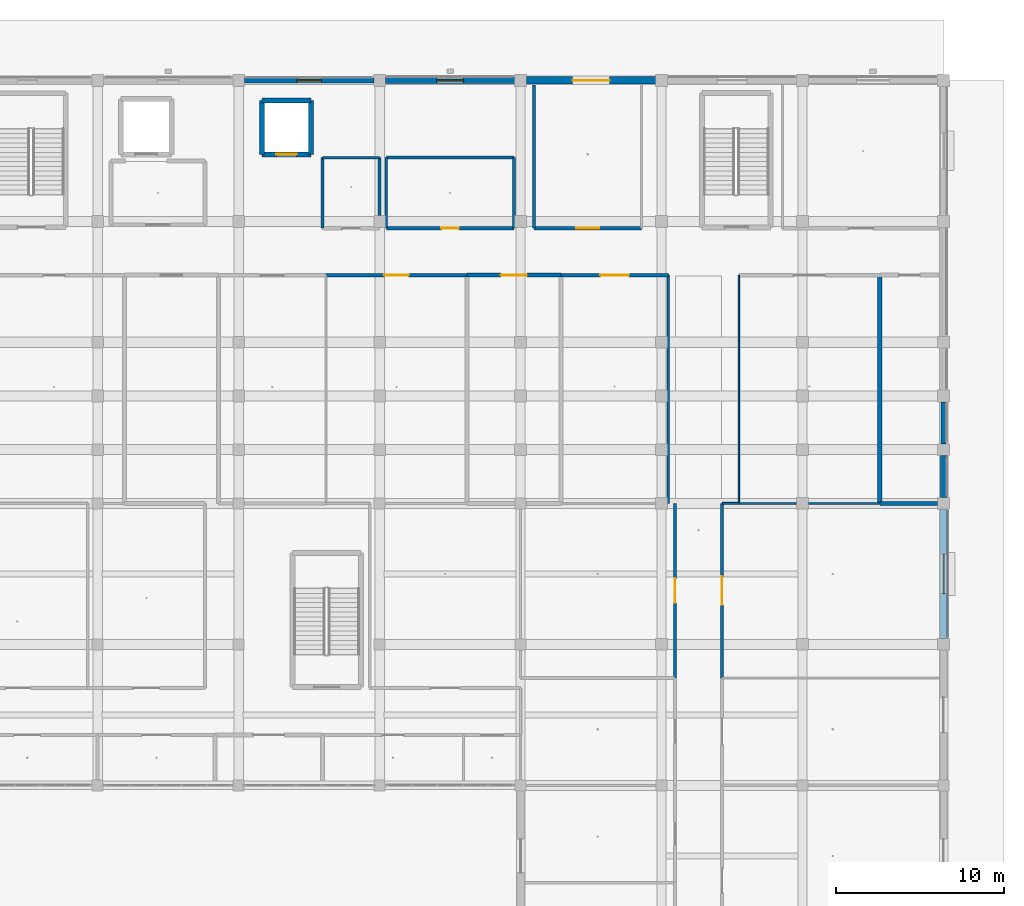
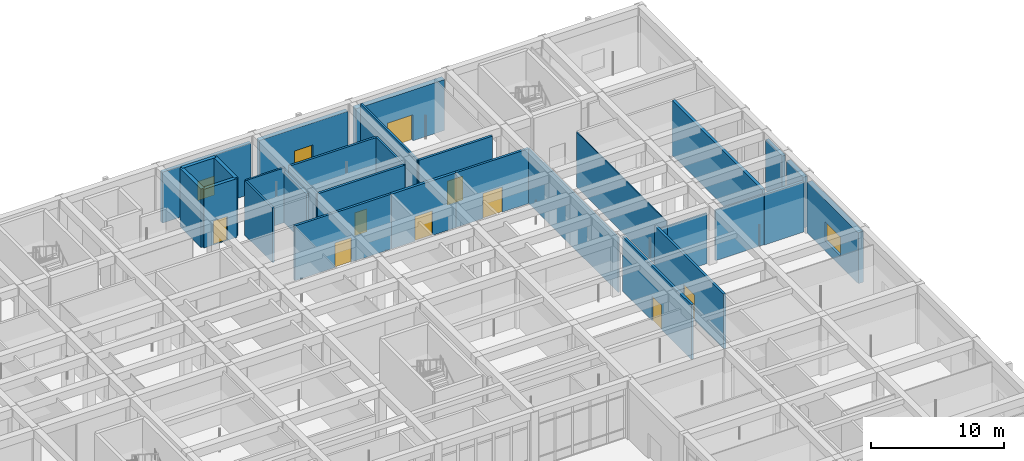
# One storey, part 78 of 167: 31 walls, 9 doors, 3 windows, 12 openings.
"""IFC4 building model written with IfcOpenShell, lengths in metres."""

from ifc_helpers import new_model, si_unit, direction, frame, frame_2d, origin, place, context, subcontext, project, spatial, rectangle, extrude, material, layer, layer_set, type_object, element, fill, save


model = new_model("IFC4")

# Units and contexts
model_context = context("Model", 3, precision=1e-05, world=origin(), true_north=direction((0.0, 1.0)))
body_context = subcontext(model_context, "Body", "Model", "MODEL_VIEW")
ifc_project = project(units=[si_unit("LENGTHUNIT", "METRE"), si_unit("AREAUNIT", "SQUARE_METRE"), si_unit("VOLUMEUNIT", "CUBIC_METRE"), si_unit("PLANEANGLEUNIT", "RADIAN"), si_unit("MASSUNIT", "GRAM", prefix="KILO")], contexts=[model_context])

# Site, building, storey
site_placement = place(None, origin())
site = spatial("IfcSite", under=ifc_project, at=site_placement, CompositionType="ELEMENT")
building_placement = place(site_placement, origin())
building = spatial("IfcBuilding", under=site, at=building_placement, Name="Varncliffe General Hospital", CompositionType="ELEMENT")
storey_placement = place(building_placement, origin())
storey = spatial("IfcBuildingStorey", under=building, at=storey_placement, Name="L00", CompositionType="ELEMENT", Elevation=0.0)

# Wall, opening, window
ifc_material_1 = material(Name="Precast concrete C40/50 with insulated cream lime-cement stucco", Category="concrete")
ifc_layer_1 = layer(ifc_material_1, 0.3798828125)
ifc_layer_set_1 = layer_set([ifc_layer_1], Name="Precast concrete C40/50 with insulated cream lime-cement stucco")
wall_type_1 = type_object("IfcWallType", Name="Exterior Insulated Stucco Wall EW26 (380mm)", PredefinedType="SOLIDWALL", material=ifc_layer_set_1)
wall_1_placement = place(storey_placement, frame((143.14794921875, 124.800048828125, 0.0), z_axis=(0.0, 0.0, 1.0), x_axis=(1.0, 0.0, 0.0)))
wall_1 = element("IfcWall", 1, at=wall_1_placement, inside=storey, type_object=wall_type_1, Name="L00 Exterior Stucco Wall EW26-31", PredefinedType="SOLIDWALL", context=body_context, shape_type="SweptSolid", body=[
    extrude(rectangle(XDim=7.7041015625, YDim=0.3798828125, at=frame_2d((3.85205078125, 0.0))), origin(), (0.0, 0.0, 1.0), 4.679931640625),
])
opening_1_placement = place(wall_1_placement, frame((3.052001953125, 0.0, 0.89990234375)))
opening_1 = element("IfcOpeningElement", 2, at=opening_1_placement, cuts=wall_1, Name="Opening WN87", PredefinedType="OPENING", context=body_context, shape_type="SweptSolid", body=[
    extrude(rectangle(XDim=1.60009765625, YDim=1.75, at=frame_2d((0.800048828125, 0.875))), frame((0.0, 0.199951171875, 0.0), z_axis=(0.0, -1.0, 0.0), x_axis=(1.0, 0.0, 0.0)), (0.0, 0.0, 1.0), 0.39990234375),
])
ifc_material_2 = material(Name="Triple low-E argon insulated vision glazing", Category="glass")
window_type_1 = type_object("IfcWindowType", Name="Triple-Glazed Hospital Window WN87 (1600x1750)", PartitioningType="DOUBLE_PANEL_VERTICAL", PredefinedType="WINDOW", material=ifc_material_2)
window_1_placement = place(opening_1_placement, origin())
window_1 = element("IfcWindow", 3, at=window_1_placement, inside=storey, type_object=window_type_1, Name="L00 Hospital Window WN87-19", OverallHeight=1.75, OverallWidth=1.60009765625, PartitioningType="DOUBLE_PANEL_VERTICAL", PredefinedType="WINDOW", context=body_context, shape_type="SweptSolid", body=[
    extrude(rectangle(XDim=1.60009765625, YDim=1.75, at=frame_2d((0.800048828125, 0.875))), frame((0.0, 0.030029296875, 0.0), z_axis=(0.0, -1.0, 0.0), x_axis=(1.0, 0.0, 0.0)), (0.0, 0.0, 1.0), 0.06005859375),
])
fill(opening_1, window_1)

# Wall
wall_2_placement = place(storey_placement, frame((176.39990234375, 102.451904296875, 0.0), z_axis=(0.0, 0.0, 1.0), x_axis=(0.0, -1.0, 0.0)))
element("IfcWall", 4, at=wall_2_placement, inside=storey, type_object=wall_type_1, Name="L00 Exterior Stucco Wall EW26-39", PredefinedType="SOLIDWALL", context=body_context, shape_type="SweptSolid", body=[
    extrude(rectangle(XDim=2.50390625, YDim=0.3798828125, at=frame_2d((1.251953125, 0.0))), origin(), (0.0, 0.0, 1.0), 4.679931640625),
])

# Wall, opening, window
ifc_layer_2 = layer(ifc_material_1, 0.2900390625)
ifc_layer_set_2 = layer_set([ifc_layer_2], Name="Precast concrete C40/50 with insulated cream lime-cement stucco")
wall_type_2 = type_object("IfcWallType", Name="Exterior Insulated Stucco Wall EW31 (290mm)", PredefinedType="SOLIDWALL", material=ifc_layer_set_2)
wall_3_placement = place(storey_placement, frame((134.748046875, 124.800048828125, 0.0), z_axis=(0.0, 0.0, 1.0), x_axis=(1.0, 0.0, 0.0)))
wall_3 = element("IfcWall", 5, at=wall_3_placement, inside=storey, type_object=wall_type_2, Name="L00 Exterior Stucco Wall EW31-30", PredefinedType="SOLIDWALL", context=body_context, shape_type="SweptSolid", body=[
    extrude(rectangle(XDim=7.703857421875, YDim=0.2900390625, at=frame_2d((3.85205078125, 0.0))), origin(), (0.0, 0.0, 1.0), 4.679931640625),
])
opening_2_placement = place(wall_3_placement, frame((3.126953125, 0.0, 0.89990234375)))
opening_2 = element("IfcOpeningElement", 6, at=opening_2_placement, cuts=wall_3, Name="Opening WN88", PredefinedType="OPENING", context=body_context, shape_type="SweptSolid", body=[
    extrude(rectangle(XDim=1.449951171875, YDim=1.75, at=frame_2d((0.72509765625, 0.875))), frame((0.0, 0.155029296875, 0.0), z_axis=(0.0, -1.0, 0.0), x_axis=(1.0, 0.0, 0.0)), (0.0, 0.0, 1.0), 0.31005859375),
])
window_type_2 = type_object("IfcWindowType", Name="Triple-Glazed Hospital Window WN88 (1450x1750)", PartitioningType="SINGLE_PANEL", PredefinedType="WINDOW", material=ifc_material_2)
window_2_placement = place(opening_2_placement, origin())
window_2 = element("IfcWindow", 7, at=window_2_placement, inside=storey, type_object=window_type_2, Name="L00 Hospital Window WN88-18", OverallHeight=1.75, OverallWidth=1.449951171875, PartitioningType="SINGLE_PANEL", PredefinedType="WINDOW", context=body_context, shape_type="SweptSolid", body=[
    extrude(rectangle(XDim=1.449951171875, YDim=1.75, at=frame_2d((0.72509765625, 0.875))), frame((0.0, 0.030029296875, 0.0), z_axis=(0.0, -1.0, 0.0), x_axis=(1.0, 0.0, 0.0)), (0.0, 0.0, 1.0), 0.06005859375),
])
fill(opening_2, window_2)

# Wall
wall_4_placement = place(storey_placement, frame((176.39990234375, 105.652099609375, 0.0), z_axis=(0.0, 0.0, 1.0), x_axis=(0.0, -1.0, 0.0)))
element("IfcWall", 8, at=wall_4_placement, inside=storey, type_object=wall_type_2, Name="L00 Exterior Stucco Wall EW31-38", PredefinedType="SOLIDWALL", context=body_context, shape_type="SweptSolid", body=[
    extrude(rectangle(XDim=2.504150390625, YDim=0.2900390625, at=frame_2d((1.251953125, 0.0))), origin(), (0.0, 0.0, 1.0), 4.679931640625),
])

# Wall, opening, door
ifc_material_3 = material(Name="Concrete C40/50 (CSA A23.1 40 MPa)", Category="concrete")
ifc_layer_3 = layer(ifc_material_3, 0.449951171875)
ifc_layer_set_3 = layer_set([ifc_layer_3], Name="Concrete C40/50 (CSA A23.1 40 MPa)")
wall_type_3 = type_object("IfcWallType", Name="Exterior Insulated Stucco Wall EW36 (450mm)", PredefinedType="SOLIDWALL", material=ifc_layer_set_3)
wall_5_placement = place(storey_placement, frame((151.548095703125, 124.800048828125, 0.0), z_axis=(0.0, 0.0, 1.0), x_axis=(1.0, 0.0, 0.0)))
wall_5 = element("IfcWall", 9, at=wall_5_placement, inside=storey, type_object=wall_type_3, Name="L00 Exterior Stucco Wall EW36-32", PredefinedType="SOLIDWALL", context=body_context, shape_type="SweptSolid", body=[
    extrude(rectangle(XDim=7.703857421875, YDim=0.449951171875, at=frame_2d((3.85205078125, 0.0))), origin(), (0.0, 0.0, 1.0), 4.679931640625),
])
opening_3_placement = place(wall_5_placement, frame((2.751953125, 0.0, 0.0)))
opening_3 = element("IfcOpeningElement", 10, at=opening_3_placement, cuts=wall_5, Name="Opening DE27", PredefinedType="OPENING", context=body_context, shape_type="SweptSolid", body=[
    extrude(rectangle(XDim=2.199951171875, YDim=2.39990234375, at=frame_2d((1.10009765625, 1.199951171875))), frame((0.0, 0.23486328125, 0.0), z_axis=(0.0, -1.0, 0.0), x_axis=(1.0, 0.0, 0.0)), (0.0, 0.0, 1.0), 0.469970703125),
])
ifc_material_4 = material(Name="Thermally broken bronze-anodized aluminium and safety glass door", Category="aluminium")
door_type_1 = type_object("IfcDoorType", Name="Exterior Pedestrian Door DE27 (2200x2400)", OperationType="NOTDEFINED", PredefinedType="DOOR", material=ifc_material_4)
door_1_placement = place(opening_3_placement, origin())
door_1 = element("IfcDoor", 11, at=door_1_placement, inside=storey, type_object=door_type_1, Name="Main Pedestrian Entrance and Final Exit Door FE-08", OperationType="DOUBLE_DOOR_SINGLE_SWING", OverallHeight=2.39990234375, OverallWidth=2.199951171875, PredefinedType="DOOR", context=body_context, shape_type="SweptSolid", body=[
    extrude(rectangle(XDim=2.199951171875, YDim=2.39990234375, at=frame_2d((1.10009765625, 1.199951171875))), frame((0.0, 0.02490234375, 0.0), z_axis=(0.0, -1.0, 0.0), x_axis=(1.0, 0.0, 0.0)), (0.0, 0.0, 1.0), 0.050048828125),
])
fill(opening_3, door_1)

# Wall, opening, window
wall_6_placement = place(storey_placement, frame((176.39990234375, 99.251953125, 0.0), z_axis=(0.0, 0.0, 1.0), x_axis=(0.0, -1.0, 0.0)))
wall_6 = element("IfcWall", 12, at=wall_6_placement, inside=storey, type_object=wall_type_3, Name="L00 Exterior Stucco Wall EW36-40", PredefinedType="SOLIDWALL", context=body_context, shape_type="SweptSolid", body=[
    extrude(rectangle(XDim=7.703857421875, YDim=0.449951171875, at=frame_2d((3.85205078125, 0.0))), origin(), (0.0, 0.0, 1.0), 4.679931640625),
])
opening_4_placement = place(wall_6_placement, frame((2.677001953125, 0.0, 0.89990234375)))
opening_4 = element("IfcOpeningElement", 13, at=opening_4_placement, cuts=wall_6, Name="Opening WN31", PredefinedType="OPENING", context=body_context, shape_type="SweptSolid", body=[
    extrude(rectangle(XDim=2.35009765625, YDim=1.75, at=frame_2d((1.175048828125, 0.875))), frame((0.0, 0.23486328125, 0.0), z_axis=(0.0, -1.0, 0.0), x_axis=(1.0, 0.0, 0.0)), (0.0, 0.0, 1.0), 0.469970703125),
])
window_type_3 = type_object("IfcWindowType", Name="Triple-Glazed Hospital Window WN31 (2350x1750)", PartitioningType="DOUBLE_PANEL_VERTICAL", PredefinedType="WINDOW", material=ifc_material_2)
window_3_placement = place(opening_4_placement, origin())
window_3 = element("IfcWindow", 14, at=window_3_placement, inside=storey, type_object=window_type_3, Name="L00 Hospital Window WN31-23", OverallHeight=1.75, OverallWidth=2.35009765625, PartitioningType="DOUBLE_PANEL_VERTICAL", PredefinedType="WINDOW", context=body_context, shape_type="SweptSolid", body=[
    extrude(rectangle(XDim=2.35009765625, YDim=1.75, at=frame_2d((1.175048828125, 0.875))), frame((0.0, 0.030029296875, 0.0), z_axis=(0.0, -1.0, 0.0), x_axis=(1.0, 0.0, 0.0)), (0.0, 0.0, 1.0), 0.06005859375),
])
fill(opening_4, window_3)

# Walls
ifc_material_5 = material(Name="Acoustic clinical gypsum stud partition assembly", Category="gypsum")
ifc_layer_4 = layer(ifc_material_5, 0.1298828125)
ifc_layer_set_4 = layer_set([ifc_layer_4], Name="Acoustic clinical gypsum stud partition assembly")
wall_type_4 = type_object("IfcWallType", Name="Interior Partitioning IW11 (130mm)", PredefinedType="PARTITIONING", material=ifc_layer_set_4)
wall_7_placement = place(storey_placement, frame((168.364990234375, 99.60009765625, 0.0), z_axis=(0.0, 0.0, 1.0), x_axis=(1.0, 0.0, 0.0)))
element("IfcWall", 15, at=wall_7_placement, inside=storey, type_object=wall_type_4, Name="L00 Interior Partition Wall IW11-218", PredefinedType="PARTITIONING", context=body_context, shape_type="SweptSolid", body=[
    extrude(rectangle(XDim=4.235107421875, YDim=0.1298828125, at=frame_2d((2.11767578125, 0.0))), origin(), (0.0, 0.0, 1.0), 4.635009765625),
])
wall_8_placement = place(storey_placement, frame((164.199951171875, 99.60009765625, 0.0), z_axis=(0.0, 0.0, 1.0), x_axis=(1.0, 0.0, 0.0)))
element("IfcWall", 16, at=wall_8_placement, inside=storey, type_object=wall_type_4, Name="L00 Interior Partition Wall IW11-219", PredefinedType="PARTITIONING", context=body_context, shape_type="SweptSolid", body=[
    extrude(rectangle(XDim=3.43505859375, YDim=0.1298828125, at=frame_2d((1.717529296875, 0.0))), origin(), (0.0, 0.0, 1.0), 4.635009765625),
])
wall_9_placement = place(storey_placement, frame((160.0, 99.60009765625, 0.0), z_axis=(0.0, 0.0, 1.0), x_axis=(0.0, 1.0, 0.0)))
element("IfcWall", 17, at=wall_9_placement, inside=storey, type_object=wall_type_4, Name="L00 Interior Partition Wall IW11-398", PredefinedType="PARTITIONING", context=body_context, shape_type="SweptSolid", body=[
    extrude(rectangle(XDim=13.599853515625, YDim=0.1298828125, at=frame_2d((6.7998046875, 0.0))), origin(), (0.0, 0.0, 1.0), 5.0400390625),
])
ifc_layer_5 = layer(ifc_material_5, 0.169921875)
ifc_layer_set_5 = layer_set([ifc_layer_5], Name="Acoustic clinical gypsum stud partition assembly")
wall_type_5 = type_object("IfcWallType", Name="Interior Partitioning IW20 (170mm)", PredefinedType="PARTITIONING", material=ifc_layer_set_5)
wall_10_placement = place(storey_placement, frame((152.0, 116.0, 0.0), z_axis=(0.0, 0.0, 1.0), x_axis=(0.0, 1.0, 0.0)))
element("IfcWall", 18, at=wall_10_placement, inside=storey, type_object=wall_type_5, Name="L00 Interior Partition Wall IW20-395", PredefinedType="PARTITIONING", context=body_context, shape_type="SweptSolid", body=[
    extrude(rectangle(XDim=8.5400390625, YDim=0.169921875, at=frame_2d((4.27001953125, 0.0))), origin(), (0.0, 0.0, 1.0), 5.0400390625),
])
ifc_layer_6 = layer(ifc_material_5, 0.090087890625)
ifc_layer_set_6 = layer_set([ifc_layer_6], Name="Acoustic clinical gypsum stud partition assembly")
wall_type_6 = type_object("IfcWallType", Name="Interior Partitioning IW42 (90mm)", PredefinedType="PARTITIONING", material=ifc_layer_set_6)
wall_11_placement = place(storey_placement, frame((164.199951171875, 99.60009765625, 0.0), z_axis=(0.0, 0.0, 1.0), x_axis=(0.0, 1.0, 0.0)))
element("IfcWall", 19, at=wall_11_placement, inside=storey, type_object=wall_type_6, Name="L00 Interior Partition Wall IW42-421", PredefinedType="PARTITIONING", context=body_context, shape_type="SweptSolid", body=[
    extrude(rectangle(XDim=13.599853515625, YDim=0.090087890625, at=frame_2d((6.7998046875, 0.0))), origin(), (0.0, 0.0, 1.0), 5.0400390625),
])
ifc_layer_7 = layer(ifc_material_5, 0.110107421875)
ifc_layer_set_7 = layer_set([ifc_layer_7], Name="Acoustic clinical gypsum stud partition assembly")
wall_type_7 = type_object("IfcWallType", Name="Interior Partitioning IW65 (110mm)", PredefinedType="PARTITIONING", material=ifc_layer_set_7)
wall_12_placement = place(storey_placement, frame((163.199951171875, 99.60009765625, 0.0), z_axis=(0.0, 0.0, 1.0), x_axis=(1.0, 0.0, 0.0)))
element("IfcWall", 20, at=wall_12_placement, inside=storey, type_object=wall_type_7, Name="L00 Interior Partition Wall IW65-217", PredefinedType="PARTITIONING", context=body_context, shape_type="SweptSolid", body=[
    extrude(rectangle(XDim=1.0, YDim=0.110107421875, at=frame_2d((0.5, 0.0))), origin(), (0.0, 0.0, 1.0), 4.635009765625),
])
ifc_material_6 = material(Name="Fire-rated gypsum and mineral-wool partition assembly", Category="gypsum")
ifc_layer_8 = layer(ifc_material_6, 0.25)
ifc_layer_set_8 = layer_set([ifc_layer_8], Name="Fire-rated gypsum and mineral-wool partition assembly")
wall_type_8 = type_object("IfcWallType", Name="Interior Partitioning PW38 (250mm)", PredefinedType="PARTITIONING", material=ifc_layer_set_8)
wall_13_placement = place(storey_placement, frame((172.60009765625, 99.60009765625, 0.0), z_axis=(0.0, 0.0, 1.0), x_axis=(0.0, 1.0, 0.0)))
element("IfcWall", 21, at=wall_13_placement, inside=storey, type_object=wall_type_8, Name="L00 Interior Partition Wall PW38-423", PredefinedType="PARTITIONING", context=body_context, shape_type="SweptSolid", body=[
    extrude(rectangle(XDim=13.599853515625, YDim=0.25, at=frame_2d((6.7998046875, 0.0))), origin(), (0.0, 0.0, 1.0), 5.0400390625),
])
ifc_layer_9 = layer(ifc_material_6, 0.22998046875)
ifc_layer_set_9 = layer_set([ifc_layer_9], Name="Fire-rated gypsum and mineral-wool partition assembly")
wall_type_9 = type_object("IfcWallType", Name="Interior Partitioning PW48 (230mm)", PredefinedType="PARTITIONING", material=ifc_layer_set_9)
wall_14_placement = place(storey_placement, frame((172.60009765625, 99.60009765625, 0.0), z_axis=(0.0, 0.0, 1.0), x_axis=(1.0, 0.0, 0.0)))
element("IfcWall", 22, at=wall_14_placement, inside=storey, type_object=wall_type_9, Name="L00 Interior Partition Wall PW48-220", PredefinedType="PARTITIONING", context=body_context, shape_type="SweptSolid", body=[
    extrude(rectangle(XDim=3.434814453125, YDim=0.22998046875, at=frame_2d((1.71728515625, 0.0))), origin(), (0.0, 0.0, 1.0), 4.635009765625),
])

# Wall, opening, door
wall_15_placement = place(storey_placement, frame((148.0, 113.199951171875, 0.0), z_axis=(0.0, 0.0, 1.0), x_axis=(1.0, 0.0, 0.0)))
wall_15 = element("IfcWall", 23, at=wall_15_placement, inside=storey, type_object=wall_type_9, Name="L00 Interior Partition Wall PW48-240", PredefinedType="PARTITIONING", context=body_context, shape_type="SweptSolid", body=[
    extrude(rectangle(XDim=5.60009765625, YDim=0.22998046875, at=frame_2d((2.800048828125, 0.0))), origin(), (0.0, 0.0, 1.0), 5.0400390625),
])
opening_5_placement = place(wall_15_placement, frame((2.02490234375, 0.0, 0.0)))
opening_5 = element("IfcOpeningElement", 24, at=opening_5_placement, cuts=wall_15, Name="Opening DC67", PredefinedType="OPENING", context=body_context, shape_type="SweptSolid", body=[
    extrude(rectangle(XDim=1.550048828125, YDim=2.25, at=frame_2d((0.77490234375, 1.125))), frame((0.0, 0.125, 0.0), z_axis=(0.0, -1.0, 0.0), x_axis=(1.0, 0.0, 0.0)), (0.0, 0.0, 1.0), 0.25),
])
ifc_material_7 = material(Name="Fire-rated hospital steel-frame vision-panel door", Category="steel")
door_type_2 = type_object("IfcDoorType", Name="Interior Hospital Door DC67 (1550x2250)", OperationType="NOTDEFINED", PredefinedType="DOOR", material=ifc_material_7)
door_2_placement = place(opening_5_placement, frame((1.550048828125, 0.0, 0.0), z_axis=(0.0, 0.0, 1.0), x_axis=(-1.0, 0.0, 0.0)))
door_2 = element("IfcDoor", 25, at=door_2_placement, inside=storey, type_object=door_type_2, Name="L00 Ground Ward Clean Utility Store 127 Door", OperationType="SINGLE_SWING_RIGHT", OverallHeight=2.25, OverallWidth=1.550048828125, PredefinedType="DOOR", context=body_context, shape_type="SweptSolid", body=[
    extrude(rectangle(XDim=1.550048828125, YDim=2.25, at=frame_2d((0.77490234375, 1.125))), frame((0.0, 0.02490234375, 0.0), z_axis=(0.0, -1.0, 0.0), x_axis=(1.0, 0.0, 0.0)), (0.0, 0.0, 1.0), 0.050048828125),
])
fill(opening_5, door_2)

ifc_layer_10 = layer(ifc_material_6, 0.199951171875)
ifc_layer_set_10 = layer_set([ifc_layer_10], Name="Fire-rated gypsum and mineral-wool partition assembly")
wall_type_10 = type_object("IfcWallType", Name="Interior Partitioning PW63 (200mm)", PredefinedType="PARTITIONING", material=ifc_layer_set_10)
wall_16_placement = place(storey_placement, frame((139.60009765625, 113.199951171875, 0.0), z_axis=(0.0, 0.0, 1.0), x_axis=(1.0, 0.0, 0.0)))
wall_16 = element("IfcWall", 26, at=wall_16_placement, inside=storey, type_object=wall_type_10, Name="L00 Interior Partition Wall PW63-239", PredefinedType="PARTITIONING", context=body_context, shape_type="SweptSolid", body=[
    extrude(rectangle(XDim=8.39990234375, YDim=0.199951171875, at=frame_2d((4.199951171875, 0.0))), origin(), (0.0, 0.0, 1.0), 5.0400390625),
])
opening_6_placement = place(wall_16_placement, frame((3.47509765625, 0.0, 0.0)))
opening_6 = element("IfcOpeningElement", 27, at=opening_6_placement, cuts=wall_16, Name="Opening DC66", PredefinedType="OPENING", context=body_context, shape_type="SweptSolid", body=[
    extrude(rectangle(XDim=1.449951171875, YDim=2.25, at=frame_2d((0.72509765625, 1.125))), frame((0.0, 0.10986328125, 0.0), z_axis=(0.0, -1.0, 0.0), x_axis=(1.0, 0.0, 0.0)), (0.0, 0.0, 1.0), 0.219970703125),
])
door_type_3 = type_object("IfcDoorType", Name="Interior Hospital Door DC66 (1450x2250)", OperationType="NOTDEFINED", PredefinedType="DOOR", material=ifc_material_7)
door_3_placement = place(opening_6_placement, frame((1.449951171875, 0.0, 0.0), z_axis=(0.0, 0.0, 1.0), x_axis=(-1.0, 0.0, 0.0)))
door_3 = element("IfcDoor", 28, at=door_3_placement, inside=storey, type_object=door_type_3, Name="L00 Rehabilitation Ambulation Training Room 126 Door", OperationType="SINGLE_SWING_LEFT", OverallHeight=2.25, OverallWidth=1.449951171875, PredefinedType="DOOR", context=body_context, shape_type="SweptSolid", body=[
    extrude(rectangle(XDim=1.449951171875, YDim=2.25, at=frame_2d((0.72509765625, 1.125))), frame((0.0, 0.02490234375, 0.0), z_axis=(0.0, -1.0, 0.0), x_axis=(1.0, 0.0, 0.0)), (0.0, 0.0, 1.0), 0.050048828125),
])
fill(opening_6, door_3)

wall_17_placement = place(storey_placement, frame((153.60009765625, 113.199951171875, 0.0), z_axis=(0.0, 0.0, 1.0), x_axis=(1.0, 0.0, 0.0)))
wall_17 = element("IfcWall", 29, at=wall_17_placement, inside=storey, type_object=wall_type_10, Name="L00 Interior Partition Wall PW63-241", PredefinedType="PARTITIONING", context=body_context, shape_type="SweptSolid", body=[
    extrude(rectangle(XDim=6.39990234375, YDim=0.199951171875, at=frame_2d((3.199951171875, 0.0))), origin(), (0.0, 0.0, 1.0), 5.0400390625),
])
opening_7_placement = place(wall_17_placement, frame((2.35009765625, 0.0, 0.0)))
opening_7 = element("IfcOpeningElement", 30, at=opening_7_placement, cuts=wall_17, Name="Opening DC50", PredefinedType="OPENING", context=body_context, shape_type="SweptSolid", body=[
    extrude(rectangle(XDim=1.699951171875, YDim=2.300048828125, at=frame_2d((0.85009765625, 1.14990234375))), frame((0.0, 0.10986328125, 0.0), z_axis=(0.0, -1.0, 0.0), x_axis=(1.0, 0.0, 0.0)), (0.0, 0.0, 1.0), 0.219970703125),
])
door_type_4 = type_object("IfcDoorType", Name="Interior Hospital Door DC50 (1700x2300)", OperationType="NOTDEFINED", PredefinedType="DOOR", material=ifc_material_7)
door_4_placement = place(opening_7_placement, frame((1.699951171875, 0.0, 0.0), z_axis=(0.0, 0.0, 1.0), x_axis=(-1.0, 0.0, 0.0)))
door_4 = element("IfcDoor", 31, at=door_4_placement, inside=storey, type_object=door_type_4, Name="L00 Outpatient Phlebotomy and Pre-Admission Clinic 128 Door", OperationType="SINGLE_SWING_LEFT", OverallHeight=2.300048828125, OverallWidth=1.699951171875, PredefinedType="DOOR", context=body_context, shape_type="SweptSolid", body=[
    extrude(rectangle(XDim=1.699951171875, YDim=2.300048828125, at=frame_2d((0.85009765625, 1.14990234375))), frame((0.0, 0.02490234375, 0.0), z_axis=(0.0, -1.0, 0.0), x_axis=(1.0, 0.0, 0.0)), (0.0, 0.0, 1.0), 0.050048828125),
])
fill(opening_7, door_4)

wall_18_placement = place(storey_placement, frame((143.199951171875, 116.0, 0.0), z_axis=(0.0, 0.0, 1.0), x_axis=(1.0, 0.0, 0.0)))
wall_18 = element("IfcWall", 32, at=wall_18_placement, inside=storey, type_object=wall_type_10, Name="L00 Interior Partition Wall PW63-251", PredefinedType="PARTITIONING", context=body_context, shape_type="SweptSolid", body=[
    extrude(rectangle(XDim=7.60009765625, YDim=0.199951171875, at=frame_2d((3.800048828125, 0.0))), origin(), (0.0, 0.0, 1.0), 5.0400390625),
])
opening_8_placement = place(wall_18_placement, frame((3.280029296875, 0.0, 0.0)))
opening_8 = element("IfcOpeningElement", 33, at=opening_8_placement, cuts=wall_18, Name="Opening DI77", PredefinedType="OPENING", context=body_context, shape_type="SweptSolid", body=[
    extrude(rectangle(XDim=1.0400390625, YDim=2.10009765625, at=frame_2d((0.52001953125, 1.050048828125))), frame((0.0, 0.10986328125, 0.0), z_axis=(0.0, -1.0, 0.0), x_axis=(1.0, 0.0, 0.0)), (0.0, 0.0, 1.0), 0.219970703125),
])
ifc_material_8 = material(Name="Solid-core antimicrobial hospital oak veneer door", Category="wood")
door_type_5 = type_object("IfcDoorType", Name="Interior Hospital Door DI77 (1040x2100)", OperationType="NOTDEFINED", PredefinedType="DOOR", material=ifc_material_8)
door_5_placement = place(opening_8_placement, origin())
door_5 = element("IfcDoor", 34, at=door_5_placement, inside=storey, type_object=door_type_5, Name="L00 Staff and Visitor WC L00-NE Door", OperationType="SINGLE_SWING_LEFT", OverallHeight=2.10009765625, OverallWidth=1.0400390625, PredefinedType="DOOR", context=body_context, shape_type="SweptSolid", body=[
    extrude(rectangle(XDim=1.0400390625, YDim=2.10009765625, at=frame_2d((0.52001953125, 1.050048828125))), frame((0.0, 0.02490234375, 0.0), z_axis=(0.0, -1.0, 0.0), x_axis=(1.0, 0.0, 0.0)), (0.0, 0.0, 1.0), 0.050048828125),
])
fill(opening_8, door_5)

wall_19_placement = place(storey_placement, frame((152.0, 116.0, 0.0), z_axis=(0.0, 0.0, 1.0), x_axis=(1.0, 0.0, 0.0)))
wall_19 = element("IfcWall", 35, at=wall_19_placement, inside=storey, type_object=wall_type_10, Name="L00 Interior Partition Wall PW63-252", PredefinedType="PARTITIONING", context=body_context, shape_type="SweptSolid", body=[
    extrude(rectangle(XDim=6.39990234375, YDim=0.199951171875, at=frame_2d((3.199951171875, 0.0))), origin(), (0.0, 0.0, 1.0), 5.0400390625),
])
opening_9_placement = place(wall_19_placement, frame((2.52490234375, 0.0, 0.0)))
opening_9 = element("IfcOpeningElement", 36, at=opening_9_placement, cuts=wall_19, Name="Opening DC85", PredefinedType="OPENING", context=body_context, shape_type="SweptSolid", body=[
    extrude(rectangle(XDim=1.35009765625, YDim=2.199951171875, at=frame_2d((0.675048828125, 1.10009765625))), frame((0.0, 0.10986328125, 0.0), z_axis=(0.0, -1.0, 0.0), x_axis=(1.0, 0.0, 0.0)), (0.0, 0.0, 1.0), 0.219970703125),
])
door_type_6 = type_object("IfcDoorType", Name="Interior Hospital Door DC85 (1350x2200)", OperationType="NOTDEFINED", PredefinedType="DOOR", material=ifc_material_7)
door_6_placement = place(opening_9_placement, origin())
door_6 = element("IfcDoor", 37, at=door_6_placement, inside=storey, type_object=door_type_6, Name="L00 Outpatient Phlebotomy and Pre-Admission Clinic 135 Door", OperationType="SINGLE_SWING_RIGHT", OverallHeight=2.199951171875, OverallWidth=1.35009765625, PredefinedType="DOOR", context=body_context, shape_type="SweptSolid", body=[
    extrude(rectangle(XDim=1.35009765625, YDim=2.199951171875, at=frame_2d((0.675048828125, 1.10009765625))), frame((0.0, 0.02490234375, 0.0), z_axis=(0.0, -1.0, 0.0), x_axis=(1.0, 0.0, 0.0)), (0.0, 0.0, 1.0), 0.050048828125),
])
fill(opening_9, door_6)

wall_20_placement = place(storey_placement, frame((160.39990234375, 89.199951171875, 0.0), z_axis=(0.0, 0.0, 1.0), x_axis=(0.0, 1.0, 0.0)))
wall_20 = element("IfcWall", 38, at=wall_20_placement, inside=storey, type_object=wall_type_10, Name="L00 Interior Partition Wall PW63-411", PredefinedType="PARTITIONING", context=body_context, shape_type="SweptSolid", body=[
    extrude(rectangle(XDim=10.400146484375, YDim=0.199951171875, at=frame_2d((5.2001953125, 0.0))), origin(), (0.0, 0.0, 1.0), 5.0400390625),
])
opening_10_placement = place(wall_20_placement, frame((4.47509765625, 0.0, 0.0)))
opening_10 = element("IfcOpeningElement", 39, at=opening_10_placement, cuts=wall_20, Name="Opening DC66", PredefinedType="OPENING", context=body_context, shape_type="SweptSolid", body=[
    extrude(rectangle(XDim=1.449951171875, YDim=2.25, at=frame_2d((0.72509765625, 1.125))), frame((0.0, 0.10986328125, 0.0), z_axis=(0.0, -1.0, 0.0), x_axis=(1.0, 0.0, 0.0)), (0.0, 0.0, 1.0), 0.219970703125),
])
door_7_placement = place(opening_10_placement, origin())
door_7 = element("IfcDoor", 40, at=door_7_placement, inside=storey, type_object=door_type_3, Name="L00 Rehabilitation Ambulation Training Room 140 Door", OperationType="SINGLE_SWING_RIGHT", OverallHeight=2.25, OverallWidth=1.449951171875, PredefinedType="DOOR", context=body_context, shape_type="SweptSolid", body=[
    extrude(rectangle(XDim=1.449951171875, YDim=2.25, at=frame_2d((0.72509765625, 1.125))), frame((0.0, 0.02490234375, 0.0), z_axis=(0.0, -1.0, 0.0), x_axis=(1.0, 0.0, 0.0)), (0.0, 0.0, 1.0), 0.050048828125),
])
fill(opening_10, door_7)

wall_21_placement = place(storey_placement, frame((163.199951171875, 89.199951171875, 0.0), z_axis=(0.0, 0.0, 1.0), x_axis=(0.0, 1.0, 0.0)))
wall_21 = element("IfcWall", 41, at=wall_21_placement, inside=storey, type_object=wall_type_10, Name="L00 Interior Partition Wall PW63-420", PredefinedType="PARTITIONING", context=body_context, shape_type="SweptSolid", body=[
    extrude(rectangle(XDim=10.400146484375, YDim=0.199951171875, at=frame_2d((5.2001953125, 0.0))), origin(), (0.0, 0.0, 1.0), 5.0400390625),
])
opening_11_placement = place(wall_21_placement, frame((4.35009765625, 0.0, 0.0)))
opening_11 = element("IfcOpeningElement", 42, at=opening_11_placement, cuts=wall_21, Name="Opening DC50", PredefinedType="OPENING", context=body_context, shape_type="SweptSolid", body=[
    extrude(rectangle(XDim=1.699951171875, YDim=2.300048828125, at=frame_2d((0.85009765625, 1.14990234375))), frame((0.0, 0.10986328125, 0.0), z_axis=(0.0, -1.0, 0.0), x_axis=(1.0, 0.0, 0.0)), (0.0, 0.0, 1.0), 0.219970703125),
])
door_8_placement = place(opening_11_placement, frame((1.699951171875, 0.0, 0.0), z_axis=(0.0, 0.0, 1.0), x_axis=(-1.0, 0.0, 0.0)))
door_8 = element("IfcDoor", 43, at=door_8_placement, inside=storey, type_object=door_type_4, Name="L00 Rehabilitation Ambulation Training Room 142 Door", OperationType="SINGLE_SWING_LEFT", OverallHeight=2.300048828125, OverallWidth=1.699951171875, PredefinedType="DOOR", context=body_context, shape_type="SweptSolid", body=[
    extrude(rectangle(XDim=1.699951171875, YDim=2.300048828125, at=frame_2d((0.85009765625, 1.14990234375))), frame((0.0, 0.02490234375, 0.0), z_axis=(0.0, -1.0, 0.0), x_axis=(1.0, 0.0, 0.0)), (0.0, 0.0, 1.0), 0.050048828125),
])
fill(opening_11, door_8)

# Walls
ifc_material_9 = material(Name="Moisture-resistant plumbing chase wall assembly", Category="gypsum")
ifc_layer_11 = layer(ifc_material_9, 0.18994140625)
ifc_layer_set_11 = layer_set([ifc_layer_11], Name="Moisture-resistant plumbing chase wall assembly")
wall_type_11 = type_object("IfcWallType", Name="Interior Plumbingwall MW17 (190mm)", PredefinedType="PLUMBINGWALL", material=ifc_layer_set_11)
wall_22_placement = place(storey_placement, frame((143.199951171875, 120.199951171875, 0.0), z_axis=(0.0, 0.0, 1.0), x_axis=(1.0, 0.0, 0.0)))
element("IfcWall", 44, at=wall_22_placement, inside=storey, type_object=wall_type_11, Name="L00 Interior Plumbing Wall MW17-266", PredefinedType="PLUMBINGWALL", context=body_context, shape_type="SweptSolid", body=[
    extrude(rectangle(XDim=7.60009765625, YDim=0.18994140625, at=frame_2d((3.800048828125, 0.0))), origin(), (0.0, 0.0, 1.0), 5.0400390625),
])
wall_23_placement = place(storey_placement, frame((142.800048828125, 116.764892578125, 0.0), z_axis=(0.0, 0.0, 1.0), x_axis=(0.0, 1.0, 0.0)))
element("IfcWall", 45, at=wall_23_placement, inside=storey, type_object=wall_type_11, Name="L00 Interior Plumbing Wall MW17-380", PredefinedType="PLUMBINGWALL", context=body_context, shape_type="SweptSolid", body=[
    extrude(rectangle(XDim=3.43505859375, YDim=0.18994140625, at=frame_2d((1.717529296875, 0.0))), origin(), (0.0, 0.0, 1.0), 4.68505859375),
])
ifc_layer_12 = layer(ifc_material_9, 0.159912109375)
ifc_layer_set_12 = layer_set([ifc_layer_12], Name="Moisture-resistant plumbing chase wall assembly")
wall_type_12 = type_object("IfcWallType", Name="Interior Plumbingwall MW31 (160mm)", PredefinedType="PLUMBINGWALL", material=ifc_layer_set_12)
wall_24_placement = place(storey_placement, frame((139.39990234375, 120.199951171875, 0.0), z_axis=(0.0, 0.0, 1.0), x_axis=(1.0, 0.0, 0.0)))
element("IfcWall", 46, at=wall_24_placement, inside=storey, type_object=wall_type_12, Name="L00 Interior Plumbing Wall MW31-265", PredefinedType="PLUMBINGWALL", context=body_context, shape_type="SweptSolid", body=[
    extrude(rectangle(XDim=3.400146484375, YDim=0.159912109375, at=frame_2d((1.7001953125, 0.0))), origin(), (0.0, 0.0, 1.0), 5.0400390625),
])
for number, where, z_axis, x_axis, name in (
    (47, (139.39990234375, 116.0, 0.0), (0.0, 0.0, 1.0), (0.0, 1.0, 0.0), "L00 Interior Plumbing Wall MW31-375"),
    (48, (143.199951171875, 116.0, 0.0), (0.0, 0.0, 1.0), (0.0, 1.0, 0.0), "L00 Interior Plumbing Wall MW31-381"),
    (49, (150.800048828125, 116.0, 0.0), (0.0, 0.0, 1.0), (0.0, 1.0, 0.0), "L00 Interior Plumbing Wall MW31-385"),
):
    element("IfcWall", number, at=place(storey_placement, frame(where, z_axis=z_axis, x_axis=x_axis)), inside=storey, type_object=wall_type_12, Name=name, PredefinedType="PLUMBINGWALL", context=body_context, shape_type="SweptSolid", body=[
        extrude(rectangle(XDim=4.199951171875, YDim=0.159912109375, at=frame_2d((2.10009765625, 0.0))), origin(), (0.0, 0.0, 1.0), 5.0400390625),
    ])

# Wall, opening, door
ifc_layer_13 = layer(ifc_material_3, 0.300048828125)
ifc_layer_set_13 = layer_set([ifc_layer_13], Name="Concrete C40/50 (CSA A23.1 40 MPa)")
wall_type_13 = type_object("IfcWallType", Name="Reinforced Concrete Core Shear Wall CW12 (300mm)", PredefinedType="SHEAR", material=ifc_layer_set_13)
wall_25_placement = place(storey_placement, frame((135.800048828125, 120.39990234375, 0.0), z_axis=(0.0, 0.0, 1.0), x_axis=(1.0, 0.0, 0.0)))
wall_25 = element("IfcWall", 50, at=wall_25_placement, inside=storey, type_object=wall_type_13, Name="L00 LF05 Elevator Shaft Wall South", PredefinedType="SHEAR", context=body_context, shape_type="SweptSolid", body=[
    extrude(rectangle(XDim=2.89990234375, YDim=0.300048828125, at=frame_2d((1.449951171875, 0.0))), origin(), (0.0, 0.0, 1.0), 5.39990234375),
])
opening_12_placement = place(wall_25_placement, frame((0.85009765625, 0.0, 0.0)))
opening_12 = element("IfcOpeningElement", 51, at=opening_12_placement, cuts=wall_25, Name="Opening LD01", PredefinedType="OPENING", context=body_context, shape_type="SweptSolid", body=[
    extrude(rectangle(XDim=1.199951171875, YDim=2.199951171875, at=frame_2d((0.60009765625, 1.10009765625))), frame((0.0, 0.16015625, 0.0), z_axis=(0.0, -1.0, 0.0), x_axis=(1.0, 0.0, 0.0)), (0.0, 0.0, 1.0), 0.320068359375),
])
ifc_material_10 = material(Name="Brushed stainless-steel sliding elevator landing door", Category="steel")
door_type_7 = type_object("IfcDoorType", Name="Lift Landing Door LD01 (1200x2200)", OperationType="DOUBLE_DOOR_SLIDING", PredefinedType="DOOR", material=ifc_material_10)
door_9_placement = place(opening_12_placement, origin())
door_9 = element("IfcDoor", 52, at=door_9_placement, inside=storey, type_object=door_type_7, Name="Lift Landing Door LF05 L00", OperationType="DOUBLE_DOOR_SLIDING", OverallHeight=2.199951171875, OverallWidth=1.199951171875, PredefinedType="DOOR", context=body_context, shape_type="SweptSolid", body=[
    extrude(rectangle(XDim=1.199951171875, YDim=2.199951171875, at=frame_2d((0.60009765625, 1.10009765625))), frame((0.0, 0.02490234375, 0.0), z_axis=(0.0, -1.0, 0.0), x_axis=(1.0, 0.0, 0.0)), (0.0, 0.0, 1.0), 0.050048828125),
])
fill(opening_12, door_9)

# Walls
wall_26_placement = place(storey_placement, frame((138.699951171875, 120.39990234375, 0.0), z_axis=(0.0, 0.0, 1.0), x_axis=(0.0, 1.0, 0.0)))
element("IfcWall", 53, at=wall_26_placement, inside=storey, type_object=wall_type_13, Name="L00 LF05 Elevator Shaft Wall East", PredefinedType="SHEAR", context=body_context, shape_type="SweptSolid", body=[
    extrude(rectangle(XDim=3.2001953125, YDim=0.300048828125, at=frame_2d((1.60009765625, 0.0))), origin(), (0.0, 0.0, 1.0), 5.39990234375),
])
wall_27_placement = place(storey_placement, frame((138.699951171875, 123.60009765625, 0.0), z_axis=(0.0, 0.0, 1.0), x_axis=(-1.0, 0.0, 0.0)))
element("IfcWall", 54, at=wall_27_placement, inside=storey, type_object=wall_type_13, Name="L00 LF05 Elevator Shaft Wall North", PredefinedType="SHEAR", context=body_context, shape_type="SweptSolid", body=[
    extrude(rectangle(XDim=2.89990234375, YDim=0.300048828125, at=frame_2d((1.449951171875, 0.0))), origin(), (0.0, 0.0, 1.0), 5.39990234375),
])
wall_28_placement = place(storey_placement, frame((135.800048828125, 123.60009765625, 0.0), z_axis=(0.0, 0.0, 1.0), x_axis=(0.0, -1.0, 0.0)))
element("IfcWall", 55, at=wall_28_placement, inside=storey, type_object=wall_type_13, Name="L00 LF05 Elevator Shaft Wall West", PredefinedType="SHEAR", context=body_context, shape_type="SweptSolid", body=[
    extrude(rectangle(XDim=3.2001953125, YDim=0.300048828125, at=frame_2d((1.60009765625, 0.0))), origin(), (0.0, 0.0, 1.0), 5.39990234375),
])

save(model, "model.ifc")
